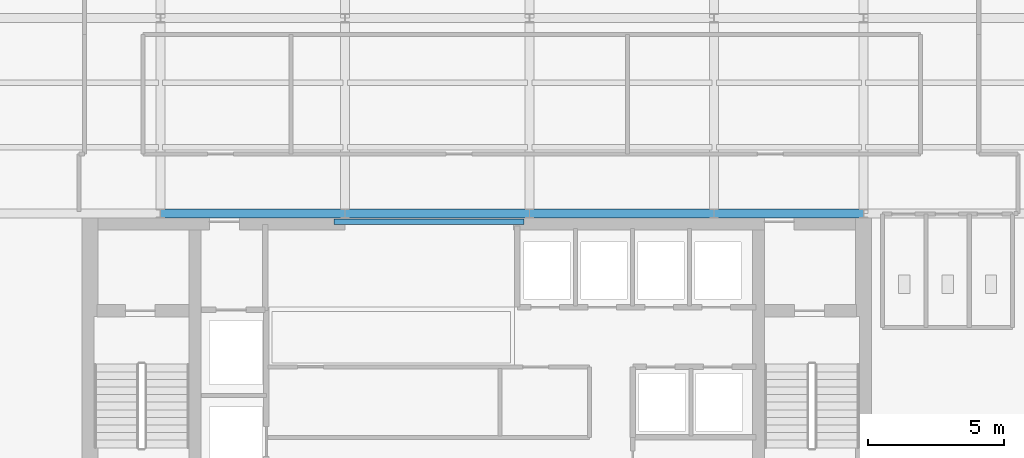
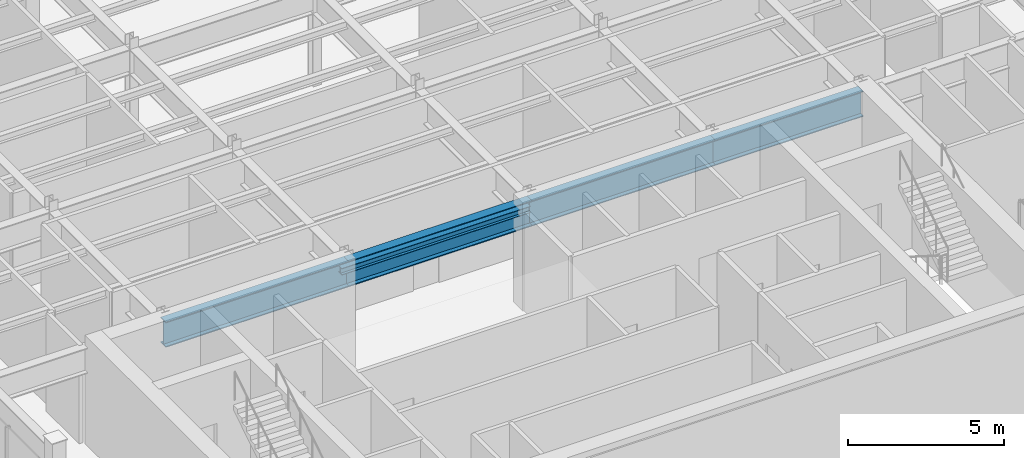
# One storey, part 4 of 24: 5 beams.
"""IFC4 building model written with IfcOpenShell, lengths in metres."""

import ifcopenshell
import ifcopenshell.guid

model = None  # the IFC model being written
_history = None  # IfcOwnerHistory: only IFC2X3 demands one
_inside = {}  # id of a spatial element -> (the spatial element, [elements in it])
_under = {}  # id of a project, library or spatial element -> (it, [spatial elements below it])
_declared = {}  # id of a project -> (the project, [libraries it declares])
_typed = {}  # id of a type object -> (the type object, [elements of that type])
_made_of = {}  # id of a material, layer set ... -> (it, [elements and type objects made of it])


def new_model(schema):
    """Start an empty IFC model of exactly this schema.

    Asked for "IFC4X3", IfcOpenShell would pick the latest addendum, in which some entities
    have other attributes; the version numbers below select the first issue.
    IFC2X3 requires an IfcOwnerHistory on every rooted entity: one is made here for all.
    """
    global model, _history
    if schema == "IFC4X3":
        model = ifcopenshell.file(schema_version=(4, 3, 0, 0))
    else:
        model = ifcopenshell.file(schema=schema)
    _inside.clear()
    _under.clear()
    _declared.clear()
    _typed.clear()
    _made_of.clear()
    _history = None
    if model.schema == "IFC2X3":
        org = make("IfcOrganization", Name="unknown")
        user = make(
            "IfcPersonAndOrganization",
            ThePerson=make("IfcPerson", FamilyName="unknown"),
            TheOrganization=org,
        )
        app = make(
            "IfcApplication",
            ApplicationDeveloper=org,
            Version="unknown",
            ApplicationFullName="unknown",
            ApplicationIdentifier="unknown",
        )
        _history = make(
            "IfcOwnerHistory",
            OwningUser=user,
            OwningApplication=app,
            ChangeAction="ADDED",
            CreationDate=0,
        )
    return model


def make(cls, **values):
    """One entity of the class cls with the attributes given. An attribute that is None is left unset."""
    return model.create_entity(
        cls, **{name: value for name, value in values.items() if value is not None}
    )


def rooted(cls, **values):
    """An entity with a GlobalId (a new one), such as an element, a storey or a relation."""
    return make(cls, GlobalId=ifcopenshell.guid.new(), OwnerHistory=_history, **values)


def si_unit(unit_type, name, prefix=None):
    """IfcSIUnit, for example si_unit("LENGTHUNIT", "METRE", prefix="MILLI")."""
    return make("IfcSIUnit", UnitType=unit_type, Prefix=prefix, Name=name)


def derived_unit(unit_type, elements):
    """IfcDerivedUnit: a product of units, each with its exponent."""
    return make(
        "IfcDerivedUnit",
        Elements=[
            make("IfcDerivedUnitElement", Unit=unit, Exponent=power)
            for unit, power in elements
        ],
        UnitType=unit_type,
    )


def assignment(units):
    """IfcUnitAssignment: the units of a project."""
    return None if units is None else make("IfcUnitAssignment", Units=units)


def point(xyz):
    """IfcCartesianPoint."""
    return None if xyz is None else make("IfcCartesianPoint", Coordinates=xyz)


def direction(xyz):
    """IfcDirection."""
    return None if xyz is None else make("IfcDirection", DirectionRatios=xyz)


def frame(location, z_axis=None, x_axis=None):
    """IfcAxis2Placement3D, a coordinate frame: its origin and axes. An axis left out is left unset."""
    return make(
        "IfcAxis2Placement3D",
        Location=point(location),
        Axis=direction(z_axis),
        RefDirection=direction(x_axis),
    )


def frame_2d(location, x_axis=None):
    """IfcAxis2Placement2D, a coordinate frame in the plane: its origin and x axis."""
    return make(
        "IfcAxis2Placement2D", Location=point(location), RefDirection=direction(x_axis)
    )


def origin():
    """The frame at (0, 0, 0) with its axes left unset."""
    return frame((0.0, 0.0, 0.0))


def origin_2d():
    """The frame at (0, 0) in the plane with its x axis left unset."""
    return frame_2d((0.0, 0.0))


def place(relative_to, where):
    """IfcLocalPlacement: puts the frame where relative to a parent placement (None: the world)."""
    return make(
        "IfcLocalPlacement", PlacementRelTo=relative_to, RelativePlacement=where
    )


def context(
    kind, dimensions, precision=None, world=None, true_north=None, identifier=None
):
    """IfcGeometricRepresentationContext, for example the 3D "Model" context."""
    return make(
        "IfcGeometricRepresentationContext",
        ContextIdentifier=identifier,
        ContextType=kind,
        CoordinateSpaceDimension=dimensions,
        Precision=precision,
        WorldCoordinateSystem=world,
        TrueNorth=true_north,
    )


def subcontext(parent, identifier, kind, view, scale=None):
    """IfcGeometricRepresentationSubContext, for example "Body" below "Model"."""
    return make(
        "IfcGeometricRepresentationSubContext",
        ContextIdentifier=identifier,
        ContextType=kind,
        ParentContext=parent,
        TargetScale=scale,
        TargetView=view,
    )


def project(units=None, contexts=None):
    """IfcProject with its units and contexts."""
    return rooted(
        "IfcProject",
        Name="project",
        RepresentationContexts=contexts,
        UnitsInContext=assignment(units),
    )


def spatial(cls, under=None, at=None, **own):
    """A site, building, storey or space (cls), placed at a placement, below another one or the project."""
    s = rooted(cls, ObjectPlacement=at, **own)
    if under is not None:
        _under.setdefault(under.id(), (under, []))[1].append(s)
    return s


def profile(cls, at=None, kind="AREA", **sizes):
    """A parametric profile (cls). Its sizes go by their IFC names, for example OverallWidth=200.0."""
    return make(cls, ProfileType=kind, Position=at, **sizes)


def i_section(**sizes):
    """IfcIShapeProfileDef."""
    return profile("IfcIShapeProfileDef", **sizes)


def extrude(swept, where, along, depth):
    """IfcExtrudedAreaSolid: the profile swept, set in the frame where, extruded along a direction by depth."""
    return make(
        "IfcExtrudedAreaSolid",
        SweptArea=swept,
        Position=where,
        ExtrudedDirection=direction(along),
        Depth=depth,
    )


def shape(context_of_items, identifier, shape_type, items):
    """IfcShapeRepresentation: the items that make up one representation, for example the "Body"."""
    return make(
        "IfcShapeRepresentation",
        ContextOfItems=context_of_items,
        RepresentationIdentifier=identifier,
        RepresentationType=shape_type,
        Items=items,
    )


def source(mapping_origin, context_of_items, identifier, shape_type, items):
    """IfcRepresentationMap: a shape defined once, which mapped items show again and again."""
    return make(
        "IfcRepresentationMap",
        MappingOrigin=mapping_origin,
        MappedRepresentation=shape(context_of_items, identifier, shape_type, items),
    )


def transform(
    local_origin,
    x_axis=None,
    y_axis=None,
    z_axis=None,
    scale=None,
    scale2=None,
    scale3=None,
    uniform=True,
):
    """IfcCartesianTransformationOperator3D, or its non-uniform kind. x_axis, y_axis, z_axis: its Axis1, 2, 3."""
    if uniform:
        return make(
            "IfcCartesianTransformationOperator3D",
            Axis1=direction(x_axis),
            Axis2=direction(y_axis),
            LocalOrigin=point(local_origin),
            Scale=scale,
            Axis3=direction(z_axis),
        )
    return make(
        "IfcCartesianTransformationOperator3DnonUniform",
        Axis1=direction(x_axis),
        Axis2=direction(y_axis),
        LocalOrigin=point(local_origin),
        Scale=scale,
        Axis3=direction(z_axis),
        Scale2=scale2,
        Scale3=scale3,
    )


def mapped(mapping_source, mapping_target):
    """IfcMappedItem: shows the shape of a source again, moved by a transform."""
    return make(
        "IfcMappedItem", MappingSource=mapping_source, MappingTarget=mapping_target
    )


def material(Name=None, Category=None):
    """IfcMaterial."""
    return make("IfcMaterial", Name=Name, Category=Category)


def material_profile(
    of_material, cross_section, Name=None, Category=None, Priority=None
):
    """IfcMaterialProfile: a cross section and its material."""
    return make(
        "IfcMaterialProfile",
        Name=Name,
        Material=of_material,
        Profile=cross_section,
        Priority=Priority,
        Category=Category,
    )


def profile_set(profiles, Name=None, composite=None):
    """IfcMaterialProfileSet."""
    return make(
        "IfcMaterialProfileSet",
        Name=Name,
        MaterialProfiles=profiles,
        CompositeProfile=composite,
    )


def made_of(thing, what):
    """Note that an element or type object is made of a material, layer set ...; save() writes the relation."""
    if what is not None:
        _made_of.setdefault(what.id(), (what, []))[1].append(thing)
    return thing


def type_object(cls, material=None, **own):
    """A type object (cls), such as IfcWallType, which elements share."""
    return made_of(rooted(cls, **own), material)


def element(
    cls,
    number,
    at=None,
    inside=None,
    cuts=None,
    type_object=None,
    material=None,
    context=None,
    identifier="Body",
    shape_type=None,
    held_by="IfcProductDefinitionShape",
    body=None,
    shapes=None,
    **own,
):
    """One element of the class cls, such as IfcWall. Its Tag is "e" and its number.

    at: its placement. inside: the storey or other place that contains it. cuts: it is an
    opening in that element (IfcRelVoidsElement). A single representation is given by context,
    identifier, shape_type and body (its items); several are given by shapes. held_by: the class
    of the entity that holds the representations. save() writes the other relations.
    """
    e = rooted(cls, Tag="e%d" % number, ObjectPlacement=at, **own)
    if body is not None:
        shapes = [shape(context, identifier, shape_type, body)]
    if shapes is not None:
        e.Representation = make(held_by, Representations=shapes)
    if inside is not None:
        _inside.setdefault(inside.id(), (inside, []))[1].append(e)
    if cuts is not None:
        rooted(
            "IfcRelVoidsElement", RelatingBuildingElement=cuts, RelatedOpeningElement=e
        )
    if type_object is not None:
        _typed.setdefault(type_object.id(), (type_object, []))[1].append(e)
    return made_of(e, material)


def aggregate(whole, parts):
    """IfcRelAggregates: a whole, such as a stair, and the parts it consists of."""
    return rooted("IfcRelAggregates", RelatingObject=whole, RelatedObjects=parts)


def save(model, path):
    """Write the relations noted so far, then the file.

    IfcRelAggregates (storeys below a building ...), IfcRelContainedInSpatialStructure (elements
    in a storey), IfcRelDefinesByType, IfcRelAssociatesMaterial and IfcRelDeclares: one each for
    every whole, place, type object, material and project.
    """
    for whole, parts in _under.values():
        aggregate(whole, parts)
    for where, things in _inside.values():
        rooted(
            "IfcRelContainedInSpatialStructure",
            RelatedElements=things,
            RelatingStructure=where,
        )
    for kind, things in _typed.values():
        rooted("IfcRelDefinesByType", RelatedObjects=things, RelatingType=kind)
    for what, things in _made_of.values():
        rooted("IfcRelAssociatesMaterial", RelatedObjects=things, RelatingMaterial=what)
    for by, libraries in _declared.values():
        rooted("IfcRelDeclares", RelatingContext=by, RelatedDefinitions=libraries)
    model.write(path)


model = new_model("IFC4")

# Units and contexts
model_context = context("Model", 3, precision=1e-05, world=origin(), true_north=direction((0.0, 1.0)))
body_context = subcontext(model_context, "Body", "Model", "MODEL_VIEW")
ifc_project = project(units=[si_unit("LENGTHUNIT", "METRE"), si_unit("AREAUNIT", "SQUARE_METRE"), si_unit("VOLUMEUNIT", "CUBIC_METRE"), si_unit("PLANEANGLEUNIT", "RADIAN"), si_unit("MASSUNIT", "GRAM", prefix="KILO"), derived_unit("THERMALTRANSMITTANCEUNIT", [(si_unit("POWERUNIT", "WATT"), 1), (si_unit("LENGTHUNIT", "METRE"), -2), (si_unit("THERMODYNAMICTEMPERATUREUNIT", "KELVIN"), -1)])], contexts=[model_context])

# Site, building, storey
site_placement = place(None, origin())
site = spatial("IfcSite", under=ifc_project, at=site_placement, CompositionType="ELEMENT")
building_placement = place(site_placement, origin())
building = spatial("IfcBuilding", under=site, at=building_placement, Name="Skarnbrae Concourse Arena and Tower", CompositionType="ELEMENT")
storey_placement = place(building_placement, frame((0.0, 0.0, 288.0)))
storey = spatial("IfcBuildingStorey", under=building, at=storey_placement, Name="L75", CompositionType="ELEMENT", Elevation=288.0)

# Beams
ifc_material = material(Name="Steel CSA G40.21 350W", Category="steel")
ifc_material_profile_1 = material_profile(ifc_material, i_section(OverallWidth=0.202880859375, OverallDepth=0.251953125, WebThickness=0.008056640625, FlangeThickness=0.013427734375, at=origin_2d()), Name="W250X58")
ifc_profile_set_1 = profile_set([ifc_material_profile_1], Name="Steel CSA G40.21 350W")
beam_type_1 = type_object("IfcBeamType", Name="BM-LINTEL-W250X58", PredefinedType="LINTEL", material=ifc_profile_set_1)
shared_shape_1 = source(origin(), body_context, "Body", "SweptSolid", [
    extrude(i_section(OverallWidth=0.202880859375, OverallDepth=0.251953125, WebThickness=0.008056640625, FlangeThickness=0.013427734375, at=origin_2d()), origin(), (0.0, 0.0, 1.0), 7.0),
])
beam_1_placement = place(storey_placement, frame((14.0, 13.699951171875, 3.72412109375), z_axis=(1.0, 0.0, 0.0), x_axis=(0.0, 1.0, 0.0)))
element("IfcBeam", 1, at=beam_1_placement, inside=storey, type_object=beam_type_1, Name="L75 Core portal coupling lintel", PredefinedType="LINTEL", context=body_context, shape_type="MappedRepresentation", body=[
    mapped(shared_shape_1, transform((0.0, 0.0, 0.0))),
])
ifc_material_profile_2 = material_profile(ifc_material, i_section(OverallWidth=0.327880859375, OverallDepth=1.0, WebThickness=0.02099609375, FlangeThickness=0.03759765625, at=origin_2d()), Name="W1000X371")
ifc_profile_set_2 = profile_set([ifc_material_profile_2], Name="Steel CSA G40.21 350W")
beam_type_2 = type_object("IfcBeamType", Name="BM-XFER-W1000X371", PredefinedType="BEAM", material=ifc_profile_set_2)
shared_shape_2 = source(origin(), body_context, "Body", "SweptSolid", [
    extrude(i_section(OverallWidth=0.327880859375, OverallDepth=1.0, WebThickness=0.02099609375, FlangeThickness=0.03759765625, at=origin_2d()), origin(), (0.0, 0.0, 1.0), 6.7998046875),
])
beam_2_placement = place(storey_placement, frame((7.60009765625, 14.0, 3.35009765625), z_axis=(1.0, 0.0, 0.0), x_axis=(0.0, 1.0, 0.0)))
element("IfcBeam", 2, at=beam_2_placement, inside=storey, type_object=beam_type_2, Name="L75 Primary E-W girder Y14.0-2", PredefinedType="BEAM", context=body_context, shape_type="MappedRepresentation", body=[
    mapped(shared_shape_2, transform((0.0, 0.0, 0.0))),
])
shared_shape_3 = source(origin(), body_context, "Body", "SweptSolid", [
    extrude(i_section(OverallWidth=0.327880859375, OverallDepth=1.0, WebThickness=0.02099609375, FlangeThickness=0.03759765625, at=origin_2d()), origin(), (0.0, 0.0, 1.0), 6.800048828125),
])
for number, where, z_axis, x_axis, name in (
    (3, (14.39990234375, 14.0, 3.35009765625), (1.0, 0.0, 0.0), (0.0, 1.0, 0.0), "L75 Primary E-W girder Y14.0-3"),
    (4, (21.199951171875, 14.0, 3.35009765625), (1.0, 0.0, 0.0), (0.0, 1.0, 0.0), "L75 Primary E-W girder Y14.0-4"),
):
    element("IfcBeam", number, at=place(storey_placement, frame(where, z_axis=z_axis, x_axis=x_axis)), inside=storey, type_object=beam_type_2, Name=name, PredefinedType="BEAM", context=body_context, shape_type="MappedRepresentation", body=[
        mapped(shared_shape_3, transform((0.0, 0.0, 0.0))),
    ])
shared_shape_4 = source(origin(), body_context, "Body", "SweptSolid", [
    extrude(i_section(OverallWidth=0.327880859375, OverallDepth=1.0, WebThickness=0.02099609375, FlangeThickness=0.03759765625, at=origin_2d()), origin(), (0.0, 0.0, 1.0), 5.5),
])
beam_3_placement = place(storey_placement, frame((28.0, 14.0, 3.35009765625), z_axis=(1.0, 0.0, 0.0), x_axis=(0.0, 1.0, 0.0)))
element("IfcBeam", 5, at=beam_3_placement, inside=storey, type_object=beam_type_2, Name="L75 Primary E-W girder Y14.0-5", PredefinedType="BEAM", context=body_context, shape_type="MappedRepresentation", body=[
    mapped(shared_shape_4, transform((0.0, 0.0, 0.0))),
])

save(model, "model.ifc")
